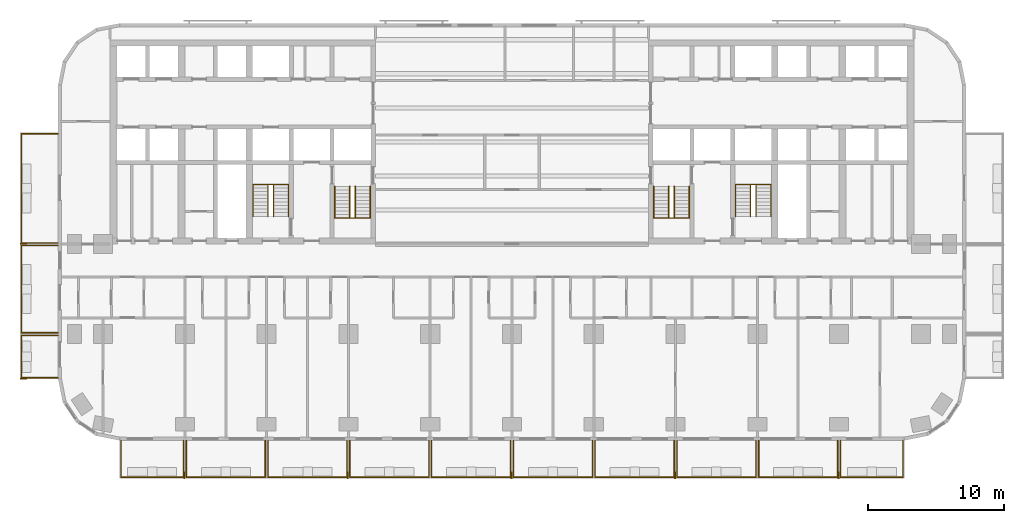
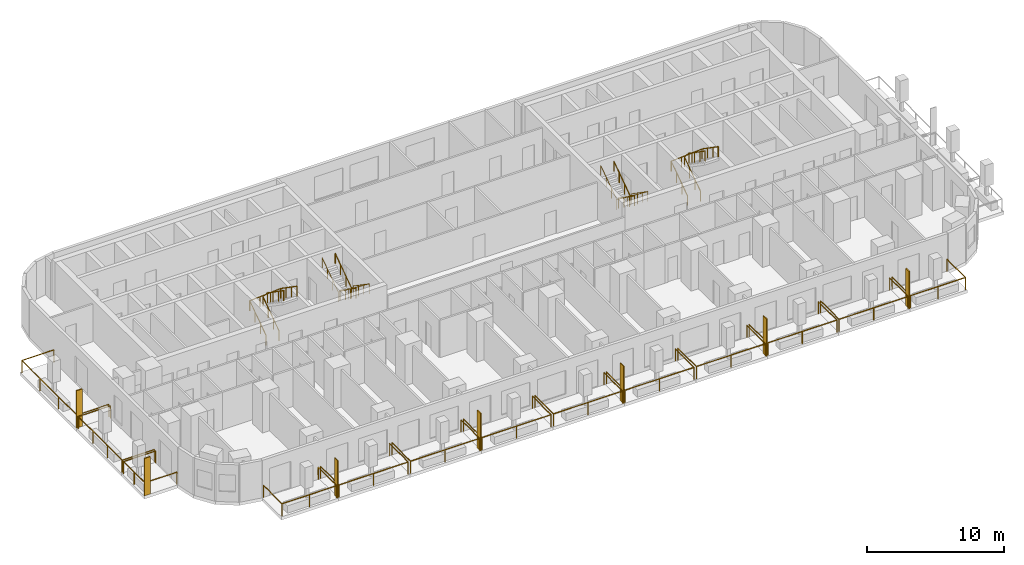
# One storey, part 13 of 15: 21 railings, 7 shading devices.
"""IFC4 building model written with IfcOpenShell, lengths in metres."""

from ifc_helpers import new_model, si_unit, direction, frame, origin, origin_2d, place, context, subcontext, project, spatial, rectangle, circle, extrude, material, layer, layer_set, type_object, element, save


model = new_model("IFC4")

# Units and contexts
model_context = context("Model", 3, precision=1e-05, world=origin(), true_north=direction((0.0, 1.0)))
body_context = subcontext(model_context, "Body", "Model", "MODEL_VIEW")
ifc_project = project(units=[si_unit("LENGTHUNIT", "METRE"), si_unit("AREAUNIT", "SQUARE_METRE"), si_unit("VOLUMEUNIT", "CUBIC_METRE"), si_unit("PLANEANGLEUNIT", "RADIAN"), si_unit("MASSUNIT", "GRAM", prefix="KILO")], contexts=[model_context])

# Site, building, storey
site_placement = place(None, origin())
site = spatial("IfcSite", under=ifc_project, at=site_placement, CompositionType="ELEMENT")
building_placement = place(site_placement, origin())
building = spatial("IfcBuilding", under=site, at=building_placement, Name="Torana Hotel and Residences", CompositionType="ELEMENT")
storey_placement = place(building_placement, frame((0.0, 0.0, 49.199951171875)))
storey = spatial("IfcBuildingStorey", under=building, at=storey_placement, Name="L11", CompositionType="ELEMENT", Elevation=49.199951171875)

# Shading devices
ifc_material_1 = material(Name="Black powder coated aluminium", Category="aluminium")
ifc_layer = layer(ifc_material_1, 0.080078125)
ifc_layer_set = layer_set([ifc_layer], Name="FN1 VERTICAL FIN 500x80")
shading_device_type = type_object("IfcShadingDeviceType", Name="FN1 VERTICAL FIN 500x80", PredefinedType="USERDEFINED", material=ifc_layer_set)
for number, where, z_axis, x_axis, name in (
    (1, (-24.0400390625, -31.949951171875, 0.0), (0.0, 0.0, 1.0), (-1.0, 0.0, 0.0), "Fin 01"),
    (2, (-12.0400390625, -31.949951171875, 0.0), (0.0, 0.0, 1.0), (-1.0, 0.0, 0.0), "Fin 03"),
    (3, (-0.0400390625, -31.949951171875, 0.0), (0.0, 0.0, 1.0), (-1.0, 0.0, 0.0), "Fin 05"),
    (4, (11.9599609375, -31.949951171875, 0.0), (0.0, 0.0, 1.0), (-1.0, 0.0, 0.0), "Fin 07"),
    (5, (23.9599609375, -31.949951171875, 0.0), (0.0, 0.0, 1.0), (-1.0, 0.0, 0.0), "Fin 09"),
    (6, (-35.85009765625, -24.860107421875, 0.0), (0.0, 0.0, 1.0), (0.0, 1.0, 0.0), "Fin 11"),
    (7, (-35.85009765625, -14.9599609375, 0.0), (0.0, 0.0, 1.0), (0.0, 1.0, 0.0), "Fin 13"),
):
    element("IfcShadingDevice", number, at=place(storey_placement, frame(where, z_axis=z_axis, x_axis=x_axis)), inside=storey, type_object=shading_device_type, Name=name, ObjectType="FIN", PredefinedType="USERDEFINED", context=body_context, shape_type="SweptSolid", body=[
        extrude(rectangle(XDim=0.080078125, YDim=0.5, at=origin_2d()), origin(), (0.0, 0.0, 1.0), 3.320068359375),
    ])

# Railings
ifc_material_2 = material(Name="Laminated glass balustrade with black handrail", Category="glass")
railing_type_1 = type_object("IfcRailingType", Name="GR1 BALCONY GUARD 1100 GLASS", PredefinedType="GUARDRAIL", material=ifc_material_2)
railing_1_placement = place(storey_placement, frame((-24.10009765625, -29.39990234375, 0.0)))
element("IfcRailing", 8, at=railing_1_placement, inside=storey, type_object=railing_type_1, Name="Balcony guard 01", PredefinedType="GUARDRAIL", context=body_context, shape_type="SweptSolid", body=[
    extrude(circle(Radius=0.02392578125, at=origin_2d()), frame((0.0, 0.0, 1.076171875), z_axis=(0.0, -1.0, 0.0), x_axis=(1.0, 0.0, 0.0)), (0.0, 0.0, 1.0), 2.7001953125),
    extrude(circle(Radius=0.02392578125, at=origin_2d()), frame((0.0, -2.7001953125, 1.076171875), z_axis=(-1.0, 0.0, 0.0), x_axis=(0.0, -1.0, 0.0)), (0.0, 0.0, 1.0), 4.599853515625),
    extrude(circle(Radius=0.02392578125, at=origin_2d()), frame((-4.599853515625, -2.7001953125, 1.076171875), z_axis=(0.0, 1.0, 0.0), x_axis=(-1.0, 0.0, 0.0)), (0.0, 0.0, 1.0), 2.7001953125),
    extrude(circle(Radius=0.02099609375, at=origin_2d()), origin(), (0.0, 0.0, 1.0), 1.052001953125),
    extrude(circle(Radius=0.02099609375, at=origin_2d()), frame((0.0, -2.7001953125, 0.0)), (0.0, 0.0, 1.0), 1.052001953125),
    extrude(circle(Radius=0.02099609375, at=origin_2d()), frame((-2.2998046875, -2.7001953125, 0.0)), (0.0, 0.0, 1.0), 1.052001953125),
    extrude(circle(Radius=0.02099609375, at=origin_2d()), frame((-4.599853515625, -2.7001953125, 0.0)), (0.0, 0.0, 1.0), 1.052001953125),
    extrude(circle(Radius=0.02099609375, at=origin_2d()), frame((-4.599853515625, 0.0, 0.0)), (0.0, 0.0, 1.0), 1.052001953125),
])
for number, where, name in (
    (9, (-18.10009765625, -29.39990234375, 0.0), "Balcony guard 02"),
    (10, (-12.10009765625, -29.39990234375, 0.0), "Balcony guard 03"),
    (11, (-6.10009765625, -29.39990234375, 0.0), "Balcony guard 04"),
    (12, (-0.10009765625, -29.39990234375, 0.0), "Balcony guard 05"),
    (13, (5.89990234375, -29.39990234375, 0.0), "Balcony guard 06"),
    (14, (11.89990234375, -29.39990234375, 0.0), "Balcony guard 07"),
    (15, (17.89990234375, -29.39990234375, 0.0), "Balcony guard 08"),
    (16, (23.89990234375, -29.39990234375, 0.0), "Balcony guard 09"),
):
    element("IfcRailing", number, at=place(storey_placement, frame(where)), inside=storey, type_object=railing_type_1, Name=name, PredefinedType="GUARDRAIL", context=body_context, shape_type="SweptSolid", body=[
        extrude(circle(Radius=0.02392578125, at=origin_2d()), frame((0.0, 0.0, 1.076171875), z_axis=(0.0, -1.0, 0.0), x_axis=(1.0, 0.0, 0.0)), (0.0, 0.0, 1.0), 2.7001953125),
        extrude(circle(Radius=0.02392578125, at=origin_2d()), frame((0.0, -2.7001953125, 1.076171875), z_axis=(-1.0, 0.0, 0.0), x_axis=(0.0, -1.0, 0.0)), (0.0, 0.0, 1.0), 5.7998046875),
        extrude(circle(Radius=0.02392578125, at=origin_2d()), frame((-5.7998046875, -2.7001953125, 1.076171875), z_axis=(0.0, 1.0, 0.0), x_axis=(-1.0, 0.0, 0.0)), (0.0, 0.0, 1.0), 2.7001953125),
        extrude(circle(Radius=0.02099609375, at=origin_2d()), origin(), (0.0, 0.0, 1.0), 1.052001953125),
        extrude(circle(Radius=0.02099609375, at=origin_2d()), frame((0.0, -2.7001953125, 0.0)), (0.0, 0.0, 1.0), 1.052001953125),
        extrude(circle(Radius=0.02099609375, at=origin_2d()), frame((-2.89990234375, -2.7001953125, 0.0)), (0.0, 0.0, 1.0), 1.052001953125),
        extrude(circle(Radius=0.02099609375, at=origin_2d()), frame((-5.7998046875, -2.7001953125, 0.0)), (0.0, 0.0, 1.0), 1.052001953125),
        extrude(circle(Radius=0.02099609375, at=origin_2d()), frame((-5.7998046875, 0.0, 0.0)), (0.0, 0.0, 1.0), 1.052001953125),
    ])
railing_2_placement = place(storey_placement, frame((28.699951171875, -29.39990234375, 0.0)))
element("IfcRailing", 17, at=railing_2_placement, inside=storey, type_object=railing_type_1, Name="Balcony guard 10", PredefinedType="GUARDRAIL", context=body_context, shape_type="SweptSolid", body=[
    extrude(circle(Radius=0.02392578125, at=origin_2d()), frame((0.0, 0.0, 1.076171875), z_axis=(0.0, -1.0, 0.0), x_axis=(1.0, 0.0, 0.0)), (0.0, 0.0, 1.0), 2.7001953125),
    extrude(circle(Radius=0.02392578125, at=origin_2d()), frame((0.0, -2.7001953125, 1.076171875), z_axis=(-1.0, 0.0, 0.0), x_axis=(0.0, -1.0, 0.0)), (0.0, 0.0, 1.0), 4.599853515625),
    extrude(circle(Radius=0.02392578125, at=origin_2d()), frame((-4.599853515625, -2.7001953125, 1.076171875), z_axis=(0.0, 1.0, 0.0), x_axis=(-1.0, 0.0, 0.0)), (0.0, 0.0, 1.0), 2.7001953125),
    extrude(circle(Radius=0.02099609375, at=origin_2d()), origin(), (0.0, 0.0, 1.0), 1.052001953125),
    extrude(circle(Radius=0.02099609375, at=origin_2d()), frame((0.0, -2.7001953125, 0.0)), (0.0, 0.0, 1.0), 1.052001953125),
    extrude(circle(Radius=0.02099609375, at=origin_2d()), frame((-2.2998046875, -2.7001953125, 0.0)), (0.0, 0.0, 1.0), 1.052001953125),
    extrude(circle(Radius=0.02099609375, at=origin_2d()), frame((-4.599853515625, -2.7001953125, 0.0)), (0.0, 0.0, 1.0), 1.052001953125),
    extrude(circle(Radius=0.02099609375, at=origin_2d()), frame((-4.599853515625, 0.0, 0.0)), (0.0, 0.0, 1.0), 1.052001953125),
])
railing_3_placement = place(storey_placement, frame((-33.300048828125, -24.800048828125, 0.0)))
element("IfcRailing", 18, at=railing_3_placement, inside=storey, type_object=railing_type_1, Name="Balcony guard 11", PredefinedType="GUARDRAIL", context=body_context, shape_type="SweptSolid", body=[
    extrude(circle(Radius=0.02392578125, at=origin_2d()), frame((0.0, 0.0, 1.076171875), z_axis=(-1.0, 0.0, 0.0), x_axis=(0.0, -1.0, 0.0)), (0.0, 0.0, 1.0), 2.699951171875),
    extrude(circle(Radius=0.02392578125, at=origin_2d()), frame((-2.699951171875, 0.0, 1.076171875), z_axis=(0.0, 1.0, 0.0), x_axis=(-1.0, 0.0, 0.0)), (0.0, 0.0, 1.0), 3.10009765625),
    extrude(circle(Radius=0.02392578125, at=origin_2d()), frame((-2.699951171875, 3.10009765625, 1.076171875), z_axis=(1.0, 0.0, 0.0), x_axis=(0.0, 1.0, 0.0)), (0.0, 0.0, 1.0), 2.699951171875),
    extrude(circle(Radius=0.02099609375, at=origin_2d()), origin(), (0.0, 0.0, 1.0), 1.052001953125),
    extrude(circle(Radius=0.02099609375, at=origin_2d()), frame((-2.699951171875, 0.0, 0.0)), (0.0, 0.0, 1.0), 1.052001953125),
    extrude(circle(Radius=0.02099609375, at=origin_2d()), frame((-2.699951171875, 1.550048828125, 0.0)), (0.0, 0.0, 1.0), 1.052001953125),
    extrude(circle(Radius=0.02099609375, at=origin_2d()), frame((-2.699951171875, 3.10009765625, 0.0)), (0.0, 0.0, 1.0), 1.052001953125),
    extrude(circle(Radius=0.02099609375, at=origin_2d()), frame((0.0, 3.10009765625, 0.0)), (0.0, 0.0, 1.0), 1.052001953125),
])
railing_4_placement = place(storey_placement, frame((-33.300048828125, -21.5, 0.0)))
element("IfcRailing", 19, at=railing_4_placement, inside=storey, type_object=railing_type_1, Name="Balcony guard 12", PredefinedType="GUARDRAIL", context=body_context, shape_type="SweptSolid", body=[
    extrude(circle(Radius=0.02392578125, at=origin_2d()), frame((0.0, 0.0, 1.076171875), z_axis=(-1.0, 0.0, 0.0), x_axis=(0.0, -1.0, 0.0)), (0.0, 0.0, 1.0), 2.699951171875),
    extrude(circle(Radius=0.02392578125, at=origin_2d()), frame((-2.699951171875, 0.0, 1.076171875), z_axis=(0.0, 1.0, 0.0), x_axis=(-1.0, 0.0, 0.0)), (0.0, 0.0, 1.0), 6.39990234375),
    extrude(circle(Radius=0.02392578125, at=origin_2d()), frame((-2.699951171875, 6.39990234375, 1.076171875), z_axis=(1.0, 0.0, 0.0), x_axis=(0.0, 1.0, 0.0)), (0.0, 0.0, 1.0), 2.699951171875),
    extrude(circle(Radius=0.02099609375, at=origin_2d()), origin(), (0.0, 0.0, 1.0), 1.052001953125),
    extrude(circle(Radius=0.02099609375, at=origin_2d()), frame((-2.699951171875, 0.0, 0.0)), (0.0, 0.0, 1.0), 1.052001953125),
    extrude(circle(Radius=0.02099609375, at=origin_2d()), frame((-2.699951171875, 2.13330078125, 0.0)), (0.0, 0.0, 1.0), 1.052001953125),
    extrude(circle(Radius=0.02099609375, at=origin_2d()), frame((-2.699951171875, 4.2666015625, 0.0)), (0.0, 0.0, 1.0), 1.052001953125),
    extrude(circle(Radius=0.02099609375, at=origin_2d()), frame((-2.699951171875, 6.39990234375, 0.0)), (0.0, 0.0, 1.0), 1.052001953125),
    extrude(circle(Radius=0.02099609375, at=origin_2d()), frame((0.0, 6.39990234375, 0.0)), (0.0, 0.0, 1.0), 1.052001953125),
])
railing_5_placement = place(storey_placement, frame((-33.300048828125, -14.89990234375, 0.0)))
element("IfcRailing", 20, at=railing_5_placement, inside=storey, type_object=railing_type_1, Name="Balcony guard 13", PredefinedType="GUARDRAIL", context=body_context, shape_type="SweptSolid", body=[
    extrude(circle(Radius=0.02392578125, at=origin_2d()), frame((0.0, 0.0, 1.076171875), z_axis=(-1.0, 0.0, 0.0), x_axis=(0.0, -1.0, 0.0)), (0.0, 0.0, 1.0), 2.699951171875),
    extrude(circle(Radius=0.02392578125, at=origin_2d()), frame((-2.699951171875, 0.0, 1.076171875), z_axis=(0.0, 1.0, 0.0), x_axis=(-1.0, 0.0, 0.0)), (0.0, 0.0, 1.0), 8.0),
    extrude(circle(Radius=0.02392578125, at=origin_2d()), frame((-2.699951171875, 8.0, 1.076171875), z_axis=(1.0, 0.0, 0.0), x_axis=(0.0, 1.0, 0.0)), (0.0, 0.0, 1.0), 2.699951171875),
    extrude(circle(Radius=0.02099609375, at=origin_2d()), origin(), (0.0, 0.0, 1.0), 1.052001953125),
    extrude(circle(Radius=0.02099609375, at=origin_2d()), frame((-2.699951171875, 0.0, 0.0)), (0.0, 0.0, 1.0), 1.052001953125),
    extrude(circle(Radius=0.02099609375, at=origin_2d()), frame((-2.699951171875, 2.666748046875, 0.0)), (0.0, 0.0, 1.0), 1.052001953125),
    extrude(circle(Radius=0.02099609375, at=origin_2d()), frame((-2.699951171875, 5.333251953125, 0.0)), (0.0, 0.0, 1.0), 1.052001953125),
    extrude(circle(Radius=0.02099609375, at=origin_2d()), frame((-2.699951171875, 8.0, 0.0)), (0.0, 0.0, 1.0), 1.052001953125),
    extrude(circle(Radius=0.02099609375, at=origin_2d()), frame((0.0, 8.0, 0.0)), (0.0, 0.0, 1.0), 1.052001953125),
])
ifc_material_3 = material(Name="Stainless steel 316", Category="steel")
railing_type_2 = type_object("IfcRailingType", Name="STAIR HANDRAIL HR1 900", PredefinedType="HANDRAIL", material=ifc_material_3)
railing_6_placement = place(storey_placement, frame((-10.39990234375, -10.75, 0.179931640625)))
element("IfcRailing", 21, at=railing_6_placement, inside=storey, type_object=railing_type_2, Name="Handrail ST1 L11 O1", PredefinedType="HANDRAIL", context=body_context, shape_type="SweptSolid", body=[
    extrude(circle(Radius=0.02392578125, at=origin_2d()), frame((0.0, 0.0, 0.8759765625), z_axis=(0.0, -0.822182927502, 0.569223360136), x_axis=(1.0, 0.0, 0.0)), (0.0, 0.0, 1.0), 2.84619140625),
    extrude(circle(Radius=0.02392578125, at=origin_2d()), frame((0.0, -2.340087890625, 2.49609375), z_axis=(-0.997614115953, 0.0, 0.069036770278), x_axis=(0.0, -1.0, 0.0)), (0.0, 0.0, 1.0), 2.606201171875),
    extrude(circle(Radius=0.02392578125, at=origin_2d()), frame((-2.60009765625, -2.340087890625, 2.67578125), z_axis=(0.0, 0.822182927502, 0.569223360136), x_axis=(-1.0, 0.0, 0.0)), (0.0, 0.0, 1.0), 2.84619140625),
    extrude(circle(Radius=0.02099609375, at=origin_2d()), origin(), (0.0, 0.0, 1.0), 0.851806640625),
    extrude(circle(Radius=0.02099609375, at=origin_2d()), frame((0.0, -0.780029296875, 0.5400390625)), (0.0, 0.0, 1.0), 0.851806640625),
    extrude(circle(Radius=0.02099609375, at=origin_2d()), frame((0.0, -1.56005859375, 1.080078125)), (0.0, 0.0, 1.0), 0.851806640625),
    extrude(circle(Radius=0.02099609375, at=origin_2d()), frame((0.0, -2.340087890625, 1.6201171875)), (0.0, 0.0, 1.0), 0.851806640625),
    extrude(circle(Radius=0.02099609375, at=origin_2d()), frame((-0.86669921875, -2.340087890625, 1.68017578125)), (0.0, 0.0, 1.0), 0.851806640625),
    extrude(circle(Radius=0.02099609375, at=origin_2d()), frame((-1.7333984375, -2.340087890625, 1.739990234375)), (0.0, 0.0, 1.0), 0.851806640625),
    extrude(circle(Radius=0.02099609375, at=origin_2d()), frame((-2.60009765625, -2.340087890625, 1.800048828125)), (0.0, 0.0, 1.0), 0.851806640625),
    extrude(circle(Radius=0.02099609375, at=origin_2d()), frame((-2.60009765625, -1.56005859375, 2.340087890625)), (0.0, 0.0, 1.0), 0.851806640625),
    extrude(circle(Radius=0.02099609375, at=origin_2d()), frame((-2.60009765625, -0.780029296875, 2.880126953125)), (0.0, 0.0, 1.0), 0.851806640625),
    extrude(circle(Radius=0.02099609375, at=origin_2d()), frame((-2.60009765625, 0.0, 3.420166015625)), (0.0, 0.0, 1.0), 0.851806640625),
])
railing_7_placement = place(storey_placement, frame((-11.5, -10.75, 0.179931640625)))
element("IfcRailing", 22, at=railing_7_placement, inside=storey, type_object=railing_type_2, Name="Handrail ST1 L11 I1", PredefinedType="HANDRAIL", context=body_context, shape_type="SweptSolid", body=[
    extrude(circle(Radius=0.02392578125, at=origin_2d()), frame((0.0, 0.0, 0.8759765625), z_axis=(0.0, -0.822182927502, 0.569223360136), x_axis=(1.0, 0.0, 0.0)), (0.0, 0.0, 1.0), 2.84619140625),
    extrude(circle(Radius=0.02392578125, at=origin_2d()), frame((0.0, -2.340087890625, 2.49609375), z_axis=(-0.911942338396, 0.0, 0.410318378143), x_axis=(0.0, -1.0, 0.0)), (0.0, 0.0, 1.0), 0.4384765625),
    extrude(circle(Radius=0.02392578125, at=origin_2d()), frame((-0.39990234375, -2.340087890625, 2.67578125), z_axis=(0.0, 0.822182927502, 0.569223360136), x_axis=(-1.0, 0.0, 0.0)), (0.0, 0.0, 1.0), 2.84619140625),
    extrude(circle(Radius=0.02099609375, at=origin_2d()), origin(), (0.0, 0.0, 1.0), 0.851806640625),
    extrude(circle(Radius=0.02099609375, at=origin_2d()), frame((0.0, -0.780029296875, 0.5400390625)), (0.0, 0.0, 1.0), 0.851806640625),
    extrude(circle(Radius=0.02099609375, at=origin_2d()), frame((0.0, -1.56005859375, 1.080078125)), (0.0, 0.0, 1.0), 0.851806640625),
    extrude(circle(Radius=0.02099609375, at=origin_2d()), frame((0.0, -2.340087890625, 1.6201171875)), (0.0, 0.0, 1.0), 0.851806640625),
    extrude(circle(Radius=0.02099609375, at=origin_2d()), frame((-0.39990234375, -2.340087890625, 1.800048828125)), (0.0, 0.0, 1.0), 0.851806640625),
    extrude(circle(Radius=0.02099609375, at=origin_2d()), frame((-0.39990234375, -1.56005859375, 2.340087890625)), (0.0, 0.0, 1.0), 0.851806640625),
    extrude(circle(Radius=0.02099609375, at=origin_2d()), frame((-0.39990234375, -0.780029296875, 2.880126953125)), (0.0, 0.0, 1.0), 0.851806640625),
    extrude(circle(Radius=0.02099609375, at=origin_2d()), frame((-0.39990234375, 0.0, 3.420166015625)), (0.0, 0.0, 1.0), 0.851806640625),
])
railing_8_placement = place(storey_placement, frame((-19.0, -12.949951171875, 0.179931640625)))
element("IfcRailing", 23, at=railing_8_placement, inside=storey, type_object=railing_type_2, Name="Handrail ST2 L11 O1", PredefinedType="HANDRAIL", context=body_context, shape_type="SweptSolid", body=[
    extrude(circle(Radius=0.02392578125, at=origin_2d()), frame((0.0, 0.0, 0.8759765625), z_axis=(0.0, 0.822155131156, 0.569263506923), x_axis=(-1.0, 0.0, 0.0)), (0.0, 0.0, 1.0), 2.845947265625),
    extrude(circle(Radius=0.02392578125, at=origin_2d()), frame((0.0, 2.33984375, 2.49609375), z_axis=(0.997614115953, 0.0, 0.069036770278), x_axis=(0.0, 1.0, 0.0)), (0.0, 0.0, 1.0), 2.606201171875),
    extrude(circle(Radius=0.02392578125, at=origin_2d()), frame((2.60009765625, 2.33984375, 2.67578125), z_axis=(0.0, -0.822155131156, 0.569263506923), x_axis=(1.0, 0.0, 0.0)), (0.0, 0.0, 1.0), 2.845947265625),
    extrude(circle(Radius=0.02099609375, at=origin_2d()), origin(), (0.0, 0.0, 1.0), 0.851806640625),
    extrude(circle(Radius=0.02099609375, at=origin_2d()), frame((0.0, 0.780029296875, 0.5400390625)), (0.0, 0.0, 1.0), 0.851806640625),
    extrude(circle(Radius=0.02099609375, at=origin_2d()), frame((0.0, 1.559814453125, 1.080078125)), (0.0, 0.0, 1.0), 0.851806640625),
    extrude(circle(Radius=0.02099609375, at=origin_2d()), frame((0.0, 2.33984375, 1.6201171875)), (0.0, 0.0, 1.0), 0.851806640625),
    extrude(circle(Radius=0.02099609375, at=origin_2d()), frame((0.86669921875, 2.33984375, 1.68017578125)), (0.0, 0.0, 1.0), 0.851806640625),
    extrude(circle(Radius=0.02099609375, at=origin_2d()), frame((1.7333984375, 2.33984375, 1.739990234375)), (0.0, 0.0, 1.0), 0.851806640625),
    extrude(circle(Radius=0.02099609375, at=origin_2d()), frame((2.60009765625, 2.33984375, 1.800048828125)), (0.0, 0.0, 1.0), 0.851806640625),
    extrude(circle(Radius=0.02099609375, at=origin_2d()), frame((2.60009765625, 1.559814453125, 2.340087890625)), (0.0, 0.0, 1.0), 0.851806640625),
    extrude(circle(Radius=0.02099609375, at=origin_2d()), frame((2.60009765625, 0.780029296875, 2.880126953125)), (0.0, 0.0, 1.0), 0.851806640625),
    extrude(circle(Radius=0.02099609375, at=origin_2d()), frame((2.60009765625, 0.0, 3.420166015625)), (0.0, 0.0, 1.0), 0.851806640625),
])
railing_9_placement = place(storey_placement, frame((-17.89990234375, -12.949951171875, 0.179931640625)))
element("IfcRailing", 24, at=railing_9_placement, inside=storey, type_object=railing_type_2, Name="Handrail ST2 L11 I1", PredefinedType="HANDRAIL", context=body_context, shape_type="SweptSolid", body=[
    extrude(circle(Radius=0.02392578125, at=origin_2d()), frame((0.0, 0.0, 0.8759765625), z_axis=(0.0, 0.822155131156, 0.569263506923), x_axis=(-1.0, 0.0, 0.0)), (0.0, 0.0, 1.0), 2.845947265625),
    extrude(circle(Radius=0.02392578125, at=origin_2d()), frame((0.0, 2.33984375, 2.49609375), z_axis=(0.911942338396, 0.0, 0.410318378143), x_axis=(0.0, 1.0, 0.0)), (0.0, 0.0, 1.0), 0.4384765625),
    extrude(circle(Radius=0.02392578125, at=origin_2d()), frame((0.39990234375, 2.33984375, 2.67578125), z_axis=(0.0, -0.822155131156, 0.569263506923), x_axis=(1.0, 0.0, 0.0)), (0.0, 0.0, 1.0), 2.845947265625),
    extrude(circle(Radius=0.02099609375, at=origin_2d()), origin(), (0.0, 0.0, 1.0), 0.851806640625),
    extrude(circle(Radius=0.02099609375, at=origin_2d()), frame((0.0, 0.780029296875, 0.5400390625)), (0.0, 0.0, 1.0), 0.851806640625),
    extrude(circle(Radius=0.02099609375, at=origin_2d()), frame((0.0, 1.559814453125, 1.080078125)), (0.0, 0.0, 1.0), 0.851806640625),
    extrude(circle(Radius=0.02099609375, at=origin_2d()), frame((0.0, 2.33984375, 1.6201171875)), (0.0, 0.0, 1.0), 0.851806640625),
    extrude(circle(Radius=0.02099609375, at=origin_2d()), frame((0.39990234375, 2.33984375, 1.800048828125)), (0.0, 0.0, 1.0), 0.851806640625),
    extrude(circle(Radius=0.02099609375, at=origin_2d()), frame((0.39990234375, 1.559814453125, 2.340087890625)), (0.0, 0.0, 1.0), 0.851806640625),
    extrude(circle(Radius=0.02099609375, at=origin_2d()), frame((0.39990234375, 0.780029296875, 2.880126953125)), (0.0, 0.0, 1.0), 0.851806640625),
    extrude(circle(Radius=0.02099609375, at=origin_2d()), frame((0.39990234375, 0.0, 3.420166015625)), (0.0, 0.0, 1.0), 0.851806640625),
])
railing_10_placement = place(storey_placement, frame((13.0, -10.75, 0.179931640625)))
element("IfcRailing", 25, at=railing_10_placement, inside=storey, type_object=railing_type_2, Name="Handrail ST3 L11 O1", PredefinedType="HANDRAIL", context=body_context, shape_type="SweptSolid", body=[
    extrude(circle(Radius=0.02392578125, at=origin_2d()), frame((0.0, 0.0, 0.8759765625), z_axis=(0.0, -0.822182927502, 0.569223360136), x_axis=(1.0, 0.0, 0.0)), (0.0, 0.0, 1.0), 2.84619140625),
    extrude(circle(Radius=0.02392578125, at=origin_2d()), frame((0.0, -2.340087890625, 2.49609375), z_axis=(-0.997614115953, 0.0, 0.069036770278), x_axis=(0.0, -1.0, 0.0)), (0.0, 0.0, 1.0), 2.606201171875),
    extrude(circle(Radius=0.02392578125, at=origin_2d()), frame((-2.60009765625, -2.340087890625, 2.67578125), z_axis=(0.0, 0.822182927502, 0.569223360136), x_axis=(-1.0, 0.0, 0.0)), (0.0, 0.0, 1.0), 2.84619140625),
    extrude(circle(Radius=0.02099609375, at=origin_2d()), origin(), (0.0, 0.0, 1.0), 0.851806640625),
    extrude(circle(Radius=0.02099609375, at=origin_2d()), frame((0.0, -0.780029296875, 0.5400390625)), (0.0, 0.0, 1.0), 0.851806640625),
    extrude(circle(Radius=0.02099609375, at=origin_2d()), frame((0.0, -1.56005859375, 1.080078125)), (0.0, 0.0, 1.0), 0.851806640625),
    extrude(circle(Radius=0.02099609375, at=origin_2d()), frame((0.0, -2.340087890625, 1.6201171875)), (0.0, 0.0, 1.0), 0.851806640625),
    extrude(circle(Radius=0.02099609375, at=origin_2d()), frame((-0.86669921875, -2.340087890625, 1.68017578125)), (0.0, 0.0, 1.0), 0.851806640625),
    extrude(circle(Radius=0.02099609375, at=origin_2d()), frame((-1.7333984375, -2.340087890625, 1.739990234375)), (0.0, 0.0, 1.0), 0.851806640625),
    extrude(circle(Radius=0.02099609375, at=origin_2d()), frame((-2.60009765625, -2.340087890625, 1.800048828125)), (0.0, 0.0, 1.0), 0.851806640625),
    extrude(circle(Radius=0.02099609375, at=origin_2d()), frame((-2.60009765625, -1.56005859375, 2.340087890625)), (0.0, 0.0, 1.0), 0.851806640625),
    extrude(circle(Radius=0.02099609375, at=origin_2d()), frame((-2.60009765625, -0.780029296875, 2.880126953125)), (0.0, 0.0, 1.0), 0.851806640625),
    extrude(circle(Radius=0.02099609375, at=origin_2d()), frame((-2.60009765625, 0.0, 3.420166015625)), (0.0, 0.0, 1.0), 0.851806640625),
])
railing_11_placement = place(storey_placement, frame((11.89990234375, -10.75, 0.179931640625)))
element("IfcRailing", 26, at=railing_11_placement, inside=storey, type_object=railing_type_2, Name="Handrail ST3 L11 I1", PredefinedType="HANDRAIL", context=body_context, shape_type="SweptSolid", body=[
    extrude(circle(Radius=0.02392578125, at=origin_2d()), frame((0.0, 0.0, 0.8759765625), z_axis=(0.0, -0.822182927502, 0.569223360136), x_axis=(1.0, 0.0, 0.0)), (0.0, 0.0, 1.0), 2.84619140625),
    extrude(circle(Radius=0.02392578125, at=origin_2d()), frame((0.0, -2.340087890625, 2.49609375), z_axis=(-0.911942338396, 0.0, 0.410318378143), x_axis=(0.0, -1.0, 0.0)), (0.0, 0.0, 1.0), 0.4384765625),
    extrude(circle(Radius=0.02392578125, at=origin_2d()), frame((-0.39990234375, -2.340087890625, 2.67578125), z_axis=(0.0, 0.822182927502, 0.569223360136), x_axis=(-1.0, 0.0, 0.0)), (0.0, 0.0, 1.0), 2.84619140625),
    extrude(circle(Radius=0.02099609375, at=origin_2d()), origin(), (0.0, 0.0, 1.0), 0.851806640625),
    extrude(circle(Radius=0.02099609375, at=origin_2d()), frame((0.0, -0.780029296875, 0.5400390625)), (0.0, 0.0, 1.0), 0.851806640625),
    extrude(circle(Radius=0.02099609375, at=origin_2d()), frame((0.0, -1.56005859375, 1.080078125)), (0.0, 0.0, 1.0), 0.851806640625),
    extrude(circle(Radius=0.02099609375, at=origin_2d()), frame((0.0, -2.340087890625, 1.6201171875)), (0.0, 0.0, 1.0), 0.851806640625),
    extrude(circle(Radius=0.02099609375, at=origin_2d()), frame((-0.39990234375, -2.340087890625, 1.800048828125)), (0.0, 0.0, 1.0), 0.851806640625),
    extrude(circle(Radius=0.02099609375, at=origin_2d()), frame((-0.39990234375, -1.56005859375, 2.340087890625)), (0.0, 0.0, 1.0), 0.851806640625),
    extrude(circle(Radius=0.02099609375, at=origin_2d()), frame((-0.39990234375, -0.780029296875, 2.880126953125)), (0.0, 0.0, 1.0), 0.851806640625),
    extrude(circle(Radius=0.02099609375, at=origin_2d()), frame((-0.39990234375, 0.0, 3.420166015625)), (0.0, 0.0, 1.0), 0.851806640625),
])
railing_12_placement = place(storey_placement, frame((16.39990234375, -12.949951171875, 0.179931640625)))
element("IfcRailing", 27, at=railing_12_placement, inside=storey, type_object=railing_type_2, Name="Handrail ST4 L11 O1", PredefinedType="HANDRAIL", context=body_context, shape_type="SweptSolid", body=[
    extrude(circle(Radius=0.02392578125, at=origin_2d()), frame((0.0, 0.0, 0.8759765625), z_axis=(0.0, 0.822155131156, 0.569263506923), x_axis=(-1.0, 0.0, 0.0)), (0.0, 0.0, 1.0), 2.845947265625),
    extrude(circle(Radius=0.02392578125, at=origin_2d()), frame((0.0, 2.33984375, 2.49609375), z_axis=(0.997614115953, 0.0, 0.069036770278), x_axis=(0.0, 1.0, 0.0)), (0.0, 0.0, 1.0), 2.606201171875),
    extrude(circle(Radius=0.02392578125, at=origin_2d()), frame((2.60009765625, 2.33984375, 2.67578125), z_axis=(0.0, -0.822155131156, 0.569263506923), x_axis=(1.0, 0.0, 0.0)), (0.0, 0.0, 1.0), 2.845947265625),
    extrude(circle(Radius=0.02099609375, at=origin_2d()), origin(), (0.0, 0.0, 1.0), 0.851806640625),
    extrude(circle(Radius=0.02099609375, at=origin_2d()), frame((0.0, 0.780029296875, 0.5400390625)), (0.0, 0.0, 1.0), 0.851806640625),
    extrude(circle(Radius=0.02099609375, at=origin_2d()), frame((0.0, 1.559814453125, 1.080078125)), (0.0, 0.0, 1.0), 0.851806640625),
    extrude(circle(Radius=0.02099609375, at=origin_2d()), frame((0.0, 2.33984375, 1.6201171875)), (0.0, 0.0, 1.0), 0.851806640625),
    extrude(circle(Radius=0.02099609375, at=origin_2d()), frame((0.86669921875, 2.33984375, 1.68017578125)), (0.0, 0.0, 1.0), 0.851806640625),
    extrude(circle(Radius=0.02099609375, at=origin_2d()), frame((1.7333984375, 2.33984375, 1.739990234375)), (0.0, 0.0, 1.0), 0.851806640625),
    extrude(circle(Radius=0.02099609375, at=origin_2d()), frame((2.60009765625, 2.33984375, 1.800048828125)), (0.0, 0.0, 1.0), 0.851806640625),
    extrude(circle(Radius=0.02099609375, at=origin_2d()), frame((2.60009765625, 1.559814453125, 2.340087890625)), (0.0, 0.0, 1.0), 0.851806640625),
    extrude(circle(Radius=0.02099609375, at=origin_2d()), frame((2.60009765625, 0.780029296875, 2.880126953125)), (0.0, 0.0, 1.0), 0.851806640625),
    extrude(circle(Radius=0.02099609375, at=origin_2d()), frame((2.60009765625, 0.0, 3.420166015625)), (0.0, 0.0, 1.0), 0.851806640625),
])
railing_13_placement = place(storey_placement, frame((17.5, -12.949951171875, 0.179931640625)))
element("IfcRailing", 28, at=railing_13_placement, inside=storey, type_object=railing_type_2, Name="Handrail ST4 L11 I1", PredefinedType="HANDRAIL", context=body_context, shape_type="SweptSolid", body=[
    extrude(circle(Radius=0.02392578125, at=origin_2d()), frame((0.0, 0.0, 0.8759765625), z_axis=(0.0, 0.822155131156, 0.569263506923), x_axis=(-1.0, 0.0, 0.0)), (0.0, 0.0, 1.0), 2.845947265625),
    extrude(circle(Radius=0.02392578125, at=origin_2d()), frame((0.0, 2.33984375, 2.49609375), z_axis=(0.911942338396, 0.0, 0.410318378143), x_axis=(0.0, 1.0, 0.0)), (0.0, 0.0, 1.0), 0.4384765625),
    extrude(circle(Radius=0.02392578125, at=origin_2d()), frame((0.39990234375, 2.33984375, 2.67578125), z_axis=(0.0, -0.822155131156, 0.569263506923), x_axis=(1.0, 0.0, 0.0)), (0.0, 0.0, 1.0), 2.845947265625),
    extrude(circle(Radius=0.02099609375, at=origin_2d()), origin(), (0.0, 0.0, 1.0), 0.851806640625),
    extrude(circle(Radius=0.02099609375, at=origin_2d()), frame((0.0, 0.780029296875, 0.5400390625)), (0.0, 0.0, 1.0), 0.851806640625),
    extrude(circle(Radius=0.02099609375, at=origin_2d()), frame((0.0, 1.559814453125, 1.080078125)), (0.0, 0.0, 1.0), 0.851806640625),
    extrude(circle(Radius=0.02099609375, at=origin_2d()), frame((0.0, 2.33984375, 1.6201171875)), (0.0, 0.0, 1.0), 0.851806640625),
    extrude(circle(Radius=0.02099609375, at=origin_2d()), frame((0.39990234375, 2.33984375, 1.800048828125)), (0.0, 0.0, 1.0), 0.851806640625),
    extrude(circle(Radius=0.02099609375, at=origin_2d()), frame((0.39990234375, 1.559814453125, 2.340087890625)), (0.0, 0.0, 1.0), 0.851806640625),
    extrude(circle(Radius=0.02099609375, at=origin_2d()), frame((0.39990234375, 0.780029296875, 2.880126953125)), (0.0, 0.0, 1.0), 0.851806640625),
    extrude(circle(Radius=0.02099609375, at=origin_2d()), frame((0.39990234375, 0.0, 3.420166015625)), (0.0, 0.0, 1.0), 0.851806640625),
])

save(model, "model.ifc")
